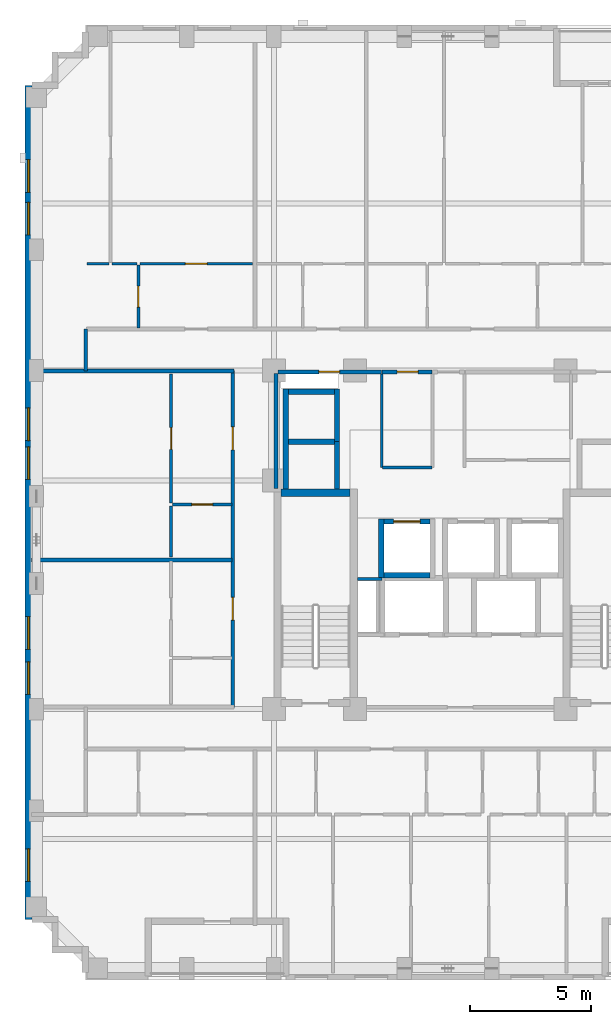
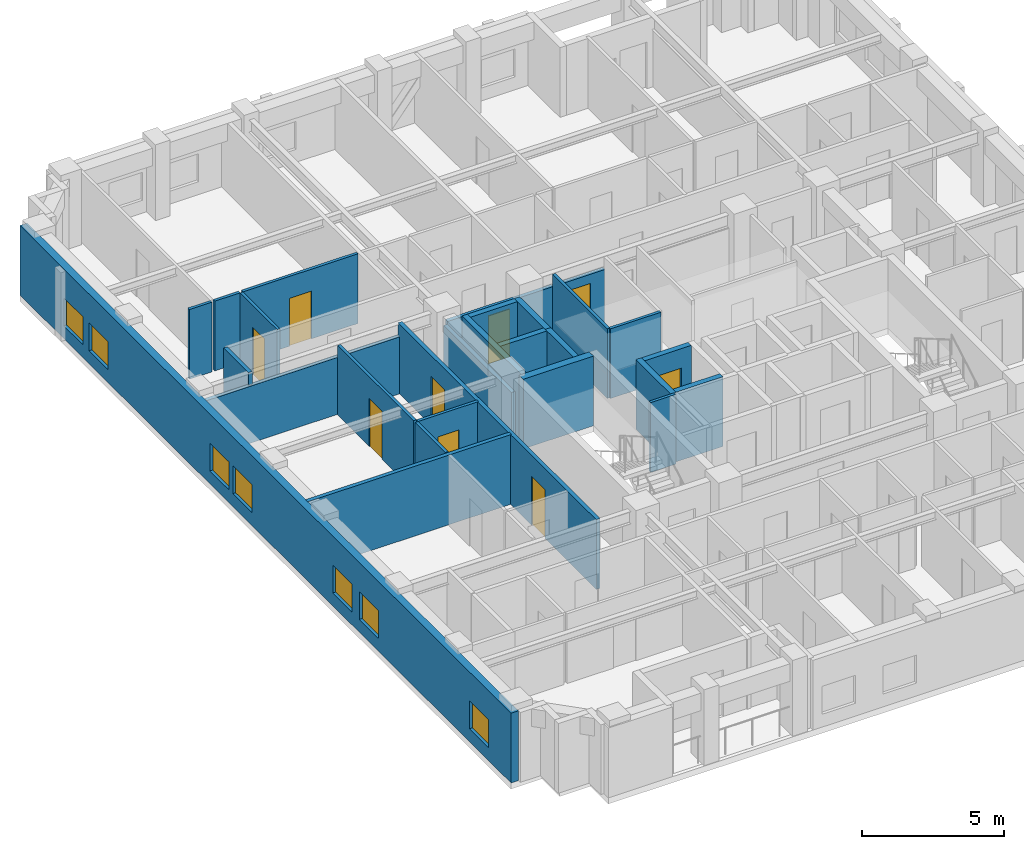
# One storey, part 5 of 11: 27 walls, 9 doors, 7 windows, 16 openings.
"""IFC4 building model written with IfcOpenShell, lengths in metres."""

from ifc_helpers import new_model, si_unit, derived_unit, direction, frame, frame_2d, origin, place, context, subcontext, project, spatial, rectangle, extrude, material, layer, layer_set, type_object, element, fill, save


model = new_model("IFC4")

# Units and contexts
model_context = context("Model", 3, precision=1e-05, world=origin(), true_north=direction((0.0, 1.0)))
body_context = subcontext(model_context, "Body", "Model", "MODEL_VIEW")
ifc_project = project(units=[si_unit("LENGTHUNIT", "METRE"), si_unit("AREAUNIT", "SQUARE_METRE"), si_unit("VOLUMEUNIT", "CUBIC_METRE"), si_unit("PLANEANGLEUNIT", "RADIAN"), si_unit("MASSUNIT", "GRAM", prefix="KILO"), derived_unit("THERMALTRANSMITTANCEUNIT", [(si_unit("MASSUNIT", "GRAM", prefix="KILO"), 1), (si_unit("TIMEUNIT", "SECOND"), -3), (si_unit("THERMODYNAMICTEMPERATUREUNIT", "KELVIN"), -1)])], contexts=[model_context])

# Site, building, storey
site_placement = place(None, origin())
site = spatial("IfcSite", under=ifc_project, at=site_placement, CompositionType="ELEMENT")
building_placement = place(site_placement, origin())
building = spatial("IfcBuilding", under=site, at=building_placement, Name="Korrvale Station Residences", CompositionType="ELEMENT")
storey_placement = place(building_placement, frame((0.0, 0.0, 147.14990234375)))
storey = spatial("IfcBuildingStorey", under=building, at=storey_placement, Name="L42", CompositionType="ELEMENT", Elevation=147.14990234375)

# Wall
ifc_material_1 = material(Name="Concrete C60/75", Category="concrete")
ifc_layer_1 = layer(ifc_material_1, 0.300048828125, Name="Concrete C60/75")
ifc_layer_set_1 = layer_set([ifc_layer_1], Name="Concrete C60/75")
wall_type_1 = type_object("IfcWallType", Name="WAL-CORE-300-C60", PredefinedType="SHEAR", material=ifc_layer_set_1)
wall_1_placement = place(storey_placement, frame((18.10009765625, 23.949951171875, 0.0), z_axis=(0.0, 0.0, 1.0), x_axis=(1.0, 0.0, 0.0)))
element("IfcWall", 1, at=wall_1_placement, inside=storey, type_object=wall_type_1, Name="L42 ST-1 Core Shear Wall North", PredefinedType="SHEAR", context=body_context, shape_type="SweptSolid", body=[
    extrude(rectangle(XDim=2.849853515625, YDim=0.300048828125, at=frame_2d((1.4248046875, 0.0))), origin(), (0.0, 0.0, 1.0), 2.989990234375),
])

# Wall, openings, windows
ifc_material_2 = material(Name="Precast concrete C45/55", Category="concrete")
ifc_layer_2 = layer(ifc_material_2, 0.300048828125, Name="Precast concrete C45/55")
ifc_layer_set_2 = layer_set([ifc_layer_2], Name="Precast concrete C45/55")
wall_type_2 = type_object("IfcWallType", Name="WAL-EXT-PC300", PredefinedType="SOLIDWALL", material=ifc_layer_set_2)
wall_2_placement = place(storey_placement, frame((7.64990234375, 6.300048828125, 0.0), z_axis=(0.0, 0.0, 1.0), x_axis=(0.0, 1.0, 0.0)))
wall_2 = element("IfcWall", 2, at=wall_2_placement, inside=storey, type_object=wall_type_2, Name="L42 West Exterior Precast Wall 1", PredefinedType="SOLIDWALL", context=body_context, shape_type="SweptSolid", body=[
    extrude(rectangle(XDim=34.5, YDim=0.300048828125, at=frame_2d((17.25, 0.0))), origin(), (0.0, 0.0, 1.0), 2.989990234375),
])
opening_1_placement = place(wall_2_placement, frame((1.574951171875, 0.0, 0.550048828125)))
opening_1 = element("IfcOpeningElement", 3, at=opening_1_placement, cuts=wall_2, Name="Opening W-10", PredefinedType="OPENING", context=body_context, shape_type="SweptSolid", body=[
    extrude(rectangle(XDim=1.35009765625, YDim=1.199951171875, at=frame_2d((0.675048828125, 0.60009765625))), frame((0.0, 0.16015625, 0.0), z_axis=(0.0, -1.0, 0.0), x_axis=(1.0, 0.0, 0.0)), (0.0, 0.0, 1.0), 0.320068359375),
])
opening_2_placement = place(wall_2_placement, frame((30.074951171875, 0.0, 0.550048828125)))
opening_2 = element("IfcOpeningElement", 4, at=opening_2_placement, cuts=wall_2, Name="Opening W-10", PredefinedType="OPENING", context=body_context, shape_type="SweptSolid", body=[
    extrude(rectangle(XDim=1.35009765625, YDim=1.199951171875, at=frame_2d((0.675048828125, 0.60009765625))), frame((0.0, 0.16015625, 0.0), z_axis=(0.0, -1.0, 0.0), x_axis=(1.0, 0.0, 0.0)), (0.0, 0.0, 1.0), 0.320068359375),
])
opening_3_placement = place(wall_2_placement, frame((28.31005859375, 0.0, 0.550048828125)))
opening_3 = element("IfcOpeningElement", 5, at=opening_3_placement, cuts=wall_2, Name="Opening W-10", PredefinedType="OPENING", context=body_context, shape_type="SweptSolid", body=[
    extrude(rectangle(XDim=1.35009765625, YDim=1.199951171875, at=frame_2d((0.675048828125, 0.60009765625))), frame((0.0, 0.16015625, 0.0), z_axis=(0.0, -1.0, 0.0), x_axis=(1.0, 0.0, 0.0)), (0.0, 0.0, 1.0), 0.320068359375),
])
opening_4_placement = place(wall_2_placement, frame((11.175048828125, 0.0, 0.550048828125)))
opening_4 = element("IfcOpeningElement", 6, at=opening_4_placement, cuts=wall_2, Name="Opening W-10", PredefinedType="OPENING", context=body_context, shape_type="SweptSolid", body=[
    extrude(rectangle(XDim=1.35009765625, YDim=1.199951171875, at=frame_2d((0.675048828125, 0.60009765625))), frame((0.0, 0.16015625, 0.0), z_axis=(0.0, -1.0, 0.0), x_axis=(1.0, 0.0, 0.0)), (0.0, 0.0, 1.0), 0.320068359375),
])
opening_5_placement = place(wall_2_placement, frame((9.31005859375, 0.0, 0.550048828125)))
opening_5 = element("IfcOpeningElement", 7, at=opening_5_placement, cuts=wall_2, Name="Opening W-10", PredefinedType="OPENING", context=body_context, shape_type="SweptSolid", body=[
    extrude(rectangle(XDim=1.35009765625, YDim=1.199951171875, at=frame_2d((0.675048828125, 0.60009765625))), frame((0.0, 0.16015625, 0.0), z_axis=(0.0, -1.0, 0.0), x_axis=(1.0, 0.0, 0.0)), (0.0, 0.0, 1.0), 0.320068359375),
])
opening_6_placement = place(wall_2_placement, frame((18.199951171875, 0.0, 0.550048828125)))
opening_6 = element("IfcOpeningElement", 8, at=opening_6_placement, cuts=wall_2, Name="Opening W-10", PredefinedType="OPENING", context=body_context, shape_type="SweptSolid", body=[
    extrude(rectangle(XDim=1.35009765625, YDim=1.199951171875, at=frame_2d((0.675048828125, 0.60009765625))), frame((0.0, 0.16015625, 0.0), z_axis=(0.0, -1.0, 0.0), x_axis=(1.0, 0.0, 0.0)), (0.0, 0.0, 1.0), 0.320068359375),
])
opening_7_placement = place(wall_2_placement, frame((19.81005859375, 0.0, 0.550048828125)))
opening_7 = element("IfcOpeningElement", 9, at=opening_7_placement, cuts=wall_2, Name="Opening W-10", PredefinedType="OPENING", context=body_context, shape_type="SweptSolid", body=[
    extrude(rectangle(XDim=1.35009765625, YDim=1.199951171875, at=frame_2d((0.675048828125, 0.60009765625))), frame((0.0, 0.16015625, 0.0), z_axis=(0.0, -1.0, 0.0), x_axis=(1.0, 0.0, 0.0)), (0.0, 0.0, 1.0), 0.320068359375),
])
ifc_material_3 = material(Name="Thermally broken aluminium frame with triple low-e glazing", Category="aluminium")
window_type = type_object("IfcWindowType", Name="WIN-W10", PartitioningType="SINGLE_PANEL", PredefinedType="WINDOW", material=ifc_material_3)
window_1_placement = place(opening_1_placement, origin())
window_1 = element("IfcWindow", 10, at=window_1_placement, inside=storey, type_object=window_type, Name="L42 Punched Window 01", OverallHeight=1.199951171875, OverallWidth=1.35009765625, PartitioningType="SINGLE_PANEL", PredefinedType="WINDOW", context=body_context, shape_type="SweptSolid", body=[
    extrude(rectangle(XDim=1.35009765625, YDim=1.199951171875, at=frame_2d((0.675048828125, 0.60009765625))), frame((0.0, 0.030029296875, 0.0), z_axis=(0.0, -1.0, 0.0), x_axis=(1.0, 0.0, 0.0)), (0.0, 0.0, 1.0), 0.06005859375),
])
fill(opening_1, window_1)
window_2_placement = place(opening_2_placement, origin())
window_2 = element("IfcWindow", 11, at=window_2_placement, inside=storey, type_object=window_type, Name="L42 Punched Window 07", OverallHeight=1.199951171875, OverallWidth=1.35009765625, PartitioningType="SINGLE_PANEL", PredefinedType="WINDOW", context=body_context, shape_type="SweptSolid", body=[
    extrude(rectangle(XDim=1.35009765625, YDim=1.199951171875, at=frame_2d((0.675048828125, 0.60009765625))), frame((0.0, 0.030029296875, 0.0), z_axis=(0.0, -1.0, 0.0), x_axis=(1.0, 0.0, 0.0)), (0.0, 0.0, 1.0), 0.06005859375),
])
fill(opening_2, window_2)
window_3_placement = place(opening_3_placement, origin())
window_3 = element("IfcWindow", 12, at=window_3_placement, inside=storey, type_object=window_type, Name="L42 Punched Window 08", OverallHeight=1.199951171875, OverallWidth=1.35009765625, PartitioningType="SINGLE_PANEL", PredefinedType="WINDOW", context=body_context, shape_type="SweptSolid", body=[
    extrude(rectangle(XDim=1.35009765625, YDim=1.199951171875, at=frame_2d((0.675048828125, 0.60009765625))), frame((0.0, 0.030029296875, 0.0), z_axis=(0.0, -1.0, 0.0), x_axis=(1.0, 0.0, 0.0)), (0.0, 0.0, 1.0), 0.06005859375),
])
fill(opening_3, window_3)
window_4_placement = place(opening_4_placement, origin())
window_4 = element("IfcWindow", 13, at=window_4_placement, inside=storey, type_object=window_type, Name="L42 Punched Window 16", OverallHeight=1.199951171875, OverallWidth=1.35009765625, PartitioningType="SINGLE_PANEL", PredefinedType="WINDOW", context=body_context, shape_type="SweptSolid", body=[
    extrude(rectangle(XDim=1.35009765625, YDim=1.199951171875, at=frame_2d((0.675048828125, 0.60009765625))), frame((0.0, 0.030029296875, 0.0), z_axis=(0.0, -1.0, 0.0), x_axis=(1.0, 0.0, 0.0)), (0.0, 0.0, 1.0), 0.06005859375),
])
fill(opening_4, window_4)
window_5_placement = place(opening_5_placement, origin())
window_5 = element("IfcWindow", 14, at=window_5_placement, inside=storey, type_object=window_type, Name="L42 Punched Window 17", OverallHeight=1.199951171875, OverallWidth=1.35009765625, PartitioningType="SINGLE_PANEL", PredefinedType="WINDOW", context=body_context, shape_type="SweptSolid", body=[
    extrude(rectangle(XDim=1.35009765625, YDim=1.199951171875, at=frame_2d((0.675048828125, 0.60009765625))), frame((0.0, 0.030029296875, 0.0), z_axis=(0.0, -1.0, 0.0), x_axis=(1.0, 0.0, 0.0)), (0.0, 0.0, 1.0), 0.06005859375),
])
fill(opening_5, window_5)
window_6_placement = place(opening_6_placement, origin())
window_6 = element("IfcWindow", 15, at=window_6_placement, inside=storey, type_object=window_type, Name="L42 Punched Window 18", OverallHeight=1.199951171875, OverallWidth=1.35009765625, PartitioningType="SINGLE_PANEL", PredefinedType="WINDOW", context=body_context, shape_type="SweptSolid", body=[
    extrude(rectangle(XDim=1.35009765625, YDim=1.199951171875, at=frame_2d((0.675048828125, 0.60009765625))), frame((0.0, 0.030029296875, 0.0), z_axis=(0.0, -1.0, 0.0), x_axis=(1.0, 0.0, 0.0)), (0.0, 0.0, 1.0), 0.06005859375),
])
fill(opening_6, window_6)
window_7_placement = place(opening_7_placement, origin())
window_7 = element("IfcWindow", 16, at=window_7_placement, inside=storey, type_object=window_type, Name="L42 Punched Window 19", OverallHeight=1.199951171875, OverallWidth=1.35009765625, PartitioningType="SINGLE_PANEL", PredefinedType="WINDOW", context=body_context, shape_type="SweptSolid", body=[
    extrude(rectangle(XDim=1.35009765625, YDim=1.199951171875, at=frame_2d((0.675048828125, 0.60009765625))), frame((0.0, 0.030029296875, 0.0), z_axis=(0.0, -1.0, 0.0), x_axis=(1.0, 0.0, 0.0)), (0.0, 0.0, 1.0), 0.06005859375),
])
fill(opening_7, window_7)

# Walls
ifc_material_4 = material(Name="Acoustic steel-stud gypsum board partition", Category="steel")
ifc_layer_3 = layer(ifc_material_4, 0.1201171875, Name="Acoustic steel-stud gypsum board partition")
ifc_layer_set_3 = layer_set([ifc_layer_3], Name="Acoustic steel-stud gypsum board partition")
wall_type_3 = type_object("IfcWallType", Name="WAL-PART-125", PredefinedType="PARTITIONING", material=ifc_layer_set_3)
wall_3_placement = place(storey_placement, frame((22.280029296875, 20.3798828125, 0.0), z_axis=(0.0, 0.0, 1.0), x_axis=(-1.0, 0.0, 0.0)))
element("IfcWall", 17, at=wall_3_placement, inside=storey, type_object=wall_type_3, Name="L42 Core Partition CW-RSWT-N", PredefinedType="PARTITIONING", context=body_context, shape_type="SweptSolid", body=[
    extrude(rectangle(XDim=1.02001953125, YDim=0.1201171875, at=frame_2d((0.510009765625, 0.0))), origin(), (0.0, 0.0, 1.0), 2.989990234375),
])
wall_4_placement = place(storey_placement, frame((22.260009765625, 25.0, 0.0), z_axis=(0.0, 0.0, 1.0), x_axis=(0.0, 1.0, 0.0)))
element("IfcWall", 18, at=wall_4_placement, inside=storey, type_object=wall_type_3, Name="L42 Core Partition CW-FPLW-W", PredefinedType="PARTITIONING", context=body_context, shape_type="SweptSolid", body=[
    extrude(rectangle(XDim=3.860107421875, YDim=0.1201171875, at=frame_2d((1.93017578125, 0.0))), origin(), (0.0, 0.0, 1.0), 2.989990234375),
])
wall_5_placement = place(storey_placement, frame((22.300048828125, 25.0, 0.0), z_axis=(0.0, 0.0, 1.0), x_axis=(1.0, 0.0, 0.0)))
element("IfcWall", 19, at=wall_5_placement, inside=storey, type_object=wall_type_3, Name="L42 Core Partition CW-FPLW-S", PredefinedType="PARTITIONING", context=body_context, shape_type="SweptSolid", body=[
    extrude(rectangle(XDim=2.0400390625, YDim=0.1201171875, at=frame_2d((1.02001953125, 0.0))), origin(), (0.0, 0.0, 1.0), 2.989990234375),
])

# Wall, opening, door
wall_6_placement = place(storey_placement, frame((12.193115234375, 30.760009765625, 0.0), z_axis=(0.0, 0.0, 1.0), x_axis=(0.0, 1.0, 0.0)))
wall_6 = element("IfcWall", 20, at=wall_6_placement, inside=storey, type_object=wall_type_3, Name="L42 Suite Partition U03-V01", PredefinedType="PARTITIONING", context=body_context, shape_type="SweptSolid", body=[
    extrude(rectangle(XDim=2.60009765625, YDim=0.1201171875, at=frame_2d((1.300048828125, 0.0))), origin(), (0.0, 0.0, 1.0), 2.989990234375),
])
opening_8_placement = place(wall_6_placement, frame((0.8701171875, 0.0, 0.0)))
opening_8 = element("IfcOpeningElement", 21, at=opening_8_placement, cuts=wall_6, Name="Opening DB-860", PredefinedType="OPENING", context=body_context, shape_type="SweptSolid", body=[
    extrude(rectangle(XDim=0.860107421875, YDim=2.050048828125, at=frame_2d((0.43017578125, 1.02490234375))), frame((0.0, 0.070068359375, 0.0), z_axis=(0.0, -1.0, 0.0), x_axis=(1.0, 0.0, 0.0)), (0.0, 0.0, 1.0), 0.14013671875),
])
ifc_material_5 = material(Name="Moisture-resistant solid-core bathroom door", Category="timber")
door_type_1 = type_object("IfcDoorType", Name="DR-BATH-860", OperationType="NOTDEFINED", PredefinedType="DOOR", material=ifc_material_5)
door_1_placement = place(opening_8_placement, origin())
door_1 = element("IfcDoor", 22, at=door_1_placement, inside=storey, type_object=door_type_1, Name="L42 Studio Apartment L42-U03 Bathroom Door", OperationType="SINGLE_SWING_RIGHT", OverallHeight=2.050048828125, OverallWidth=0.860107421875, PredefinedType="DOOR", context=body_context, shape_type="SweptSolid", body=[
    extrude(rectangle(XDim=0.860107421875, YDim=2.050048828125, at=frame_2d((0.43017578125, 1.02490234375))), frame((0.0, 0.02490234375, 0.0), z_axis=(0.0, -1.0, 0.0), x_axis=(1.0, 0.0, 0.0)), (0.0, 0.0, 1.0), 0.050048828125),
])
fill(opening_8, door_1)

# Walls
wall_7_placement = place(storey_placement, frame((10.080078125, 33.419921875, 0.0), z_axis=(0.0, 0.0, 1.0), x_axis=(1.0, 0.0, 0.0)))
element("IfcWall", 23, at=wall_7_placement, inside=storey, type_object=wall_type_3, Name="L42 Suite Partition U03-H02", PredefinedType="PARTITIONING", context=body_context, shape_type="SweptSolid", body=[
    extrude(rectangle(XDim=0.909912109375, YDim=0.1201171875, at=frame_2d((0.455078125, 0.0))), origin(), (0.0, 0.0, 1.0), 2.989990234375),
])
wall_8_placement = place(storey_placement, frame((11.110107421875, 33.419921875, 0.0), z_axis=(0.0, 0.0, 1.0), x_axis=(1.0, 0.0, 0.0)))
element("IfcWall", 24, at=wall_8_placement, inside=storey, type_object=wall_type_3, Name="L42 Suite Partition U03-H03", PredefinedType="PARTITIONING", context=body_context, shape_type="SweptSolid", body=[
    extrude(rectangle(XDim=1.02294921875, YDim=0.1201171875, at=frame_2d((0.511474609375, 0.0))), origin(), (0.0, 0.0, 1.0), 2.989990234375),
])

# Wall, opening, door
wall_9_placement = place(storey_placement, frame((12.2529296875, 33.419921875, 0.0), z_axis=(0.0, 0.0, 1.0), x_axis=(1.0, 0.0, 0.0)))
wall_9 = element("IfcWall", 25, at=wall_9_placement, inside=storey, type_object=wall_type_3, Name="L42 Suite Partition U03-H13", PredefinedType="PARTITIONING", context=body_context, shape_type="SweptSolid", body=[
    extrude(rectangle(XDim=4.671142578125, YDim=0.1201171875, at=frame_2d((2.33544921875, 0.0))), origin(), (0.0, 0.0, 1.0), 2.989990234375),
])
opening_9_placement = place(wall_9_placement, frame((1.885009765625, 0.0, 0.0)))
opening_9 = element("IfcOpeningElement", 26, at=opening_9_placement, cuts=wall_9, Name="Opening DI-900", PredefinedType="OPENING", context=body_context, shape_type="SweptSolid", body=[
    extrude(rectangle(XDim=0.89990234375, YDim=2.050048828125, at=frame_2d((0.449951171875, 1.02490234375))), frame((0.0, 0.070068359375, 0.0), z_axis=(0.0, -1.0, 0.0), x_axis=(1.0, 0.0, 0.0)), (0.0, 0.0, 1.0), 0.14013671875),
])
ifc_material_6 = material(Name="Painted solid-core timber interior room door", Category="wood")
door_type_2 = type_object("IfcDoorType", Name="DR-INT-900", OperationType="NOTDEFINED", PredefinedType="DOOR", material=ifc_material_6)
door_2_placement = place(opening_9_placement, origin())
door_2 = element("IfcDoor", 27, at=door_2_placement, inside=storey, type_object=door_type_2, Name="L42 Studio Apartment L42-U03 Kitchen Door", OperationType="SINGLE_SWING_LEFT", OverallHeight=2.050048828125, OverallWidth=0.89990234375, PredefinedType="DOOR", context=body_context, shape_type="SweptSolid", body=[
    extrude(rectangle(XDim=0.89990234375, YDim=2.050048828125, at=frame_2d((0.449951171875, 1.02490234375))), frame((0.0, 0.02490234375, 0.0), z_axis=(0.0, -1.0, 0.0), x_axis=(1.0, 0.0, 0.0)), (0.0, 0.0, 1.0), 0.050048828125),
])
fill(opening_9, door_2)

wall_10_placement = place(storey_placement, frame((13.610107421875, 23.467041015625, 0.0), z_axis=(0.0, 0.0, 1.0), x_axis=(1.0, 0.0, 0.0)))
wall_10 = element("IfcWall", 28, at=wall_10_placement, inside=storey, type_object=wall_type_3, Name="L42 Suite Partition U08-H01", PredefinedType="PARTITIONING", context=body_context, shape_type="SweptSolid", body=[
    extrude(rectangle(XDim=2.449951171875, YDim=0.1201171875, at=frame_2d((1.22509765625, 0.0))), origin(), (0.0, 0.0, 1.0), 2.989990234375),
])
opening_10_placement = place(wall_10_placement, frame((0.794921875, 0.0, 0.0)))
opening_10 = element("IfcOpeningElement", 29, at=opening_10_placement, cuts=wall_10, Name="Opening DB-860", PredefinedType="OPENING", context=body_context, shape_type="SweptSolid", body=[
    extrude(rectangle(XDim=0.860107421875, YDim=2.050048828125, at=frame_2d((0.43017578125, 1.02490234375))), frame((0.0, 0.070068359375, 0.0), z_axis=(0.0, -1.0, 0.0), x_axis=(1.0, 0.0, 0.0)), (0.0, 0.0, 1.0), 0.14013671875),
])
door_3_placement = place(opening_10_placement, origin())
door_3 = element("IfcDoor", 30, at=door_3_placement, inside=storey, type_object=door_type_1, Name="L42 Apartment 1BR L42-U08 Bathroom Door", OperationType="SINGLE_SWING_RIGHT", OverallHeight=2.050048828125, OverallWidth=0.860107421875, PredefinedType="DOOR", context=body_context, shape_type="SweptSolid", body=[
    extrude(rectangle(XDim=0.860107421875, YDim=2.050048828125, at=frame_2d((0.43017578125, 1.02490234375))), frame((0.0, 0.02490234375, 0.0), z_axis=(0.0, -1.0, 0.0), x_axis=(1.0, 0.0, 0.0)), (0.0, 0.0, 1.0), 0.050048828125),
])
fill(opening_10, door_3)

# Wall
wall_11_placement = place(storey_placement, frame((13.550048828125, 21.285888671875, 0.0), z_axis=(0.0, 0.0, 1.0), x_axis=(0.0, 1.0, 0.0)))
element("IfcWall", 31, at=wall_11_placement, inside=storey, type_object=wall_type_3, Name="L42 Suite Partition U08-V02", PredefinedType="PARTITIONING", context=body_context, shape_type="SweptSolid", body=[
    extrude(rectangle(XDim=2.12109375, YDim=0.1201171875, at=frame_2d((1.060546875, 0.0))), origin(), (0.0, 0.0, 1.0), 2.989990234375),
])

# Wall, opening, door
wall_12_placement = place(storey_placement, frame((13.550048828125, 23.527099609375, 0.0), z_axis=(0.0, 0.0, 1.0), x_axis=(0.0, 1.0, 0.0)))
wall_12 = element("IfcWall", 32, at=wall_12_placement, inside=storey, type_object=wall_type_3, Name="L42 Suite Partition U08-V12", PredefinedType="PARTITIONING", context=body_context, shape_type="SweptSolid", body=[
    extrude(rectangle(XDim=5.3330078125, YDim=0.1201171875, at=frame_2d((2.66650390625, 0.0))), origin(), (0.0, 0.0, 1.0), 2.989990234375),
])
opening_11_placement = place(wall_12_placement, frame((2.216064453125, 0.0, 0.0)))
opening_11 = element("IfcOpeningElement", 33, at=opening_11_placement, cuts=wall_12, Name="Opening DI-900", PredefinedType="OPENING", context=body_context, shape_type="SweptSolid", body=[
    extrude(rectangle(XDim=0.89990234375, YDim=2.050048828125, at=frame_2d((0.449951171875, 1.02490234375))), frame((0.0, 0.070068359375, 0.0), z_axis=(0.0, -1.0, 0.0), x_axis=(1.0, 0.0, 0.0)), (0.0, 0.0, 1.0), 0.14013671875),
])
door_4_placement = place(opening_11_placement, origin())
door_4 = element("IfcDoor", 34, at=door_4_placement, inside=storey, type_object=door_type_2, Name="L42 Apartment 1BR L42-U08 Kitchen Door", OperationType="SINGLE_SWING_LEFT", OverallHeight=2.050048828125, OverallWidth=0.89990234375, PredefinedType="DOOR", context=body_context, shape_type="SweptSolid", body=[
    extrude(rectangle(XDim=0.89990234375, YDim=2.050048828125, at=frame_2d((0.449951171875, 1.02490234375))), frame((0.0, 0.02490234375, 0.0), z_axis=(0.0, -1.0, 0.0), x_axis=(1.0, 0.0, 0.0)), (0.0, 0.0, 1.0), 0.050048828125),
])
fill(opening_11, door_4)

# Wall
ifc_material_7 = material(Name="Fire-rated twin-stud gypsum and mineral wool shaftwall assembly", Category="gypsum")
ifc_layer_4 = layer(ifc_material_7, 0.159912109375, Name="Fire-rated twin-stud gypsum and mineral wool shaftwall assembly")
ifc_layer_set_4 = layer_set([ifc_layer_4], Name="Fire-rated twin-stud gypsum and mineral wool shaftwall assembly")
wall_type_4 = type_object("IfcWallType", Name="WAL-PART-200", PredefinedType="PARTITIONING", material=ifc_layer_set_4)
wall_13_placement = place(storey_placement, frame((17.8798828125, 24.1201171875, 0.0), z_axis=(0.0, 0.0, 1.0), x_axis=(0.0, 1.0, 0.0)))
element("IfcWall", 35, at=wall_13_placement, inside=storey, type_object=wall_type_4, Name="L42 Core Partition CW-W-N", PredefinedType="PARTITIONING", context=body_context, shape_type="SweptSolid", body=[
    extrude(rectangle(XDim=4.759765625, YDim=0.159912109375, at=frame_2d((2.3798828125, 0.0))), origin(), (0.0, 0.0, 1.0), 2.3251953125),
])

# Wall, opening, door
wall_14_placement = place(storey_placement, frame((17.9599609375, 28.949951171875, 0.0), z_axis=(0.0, 0.0, 1.0), x_axis=(1.0, 0.0, 0.0)))
wall_14 = element("IfcWall", 36, at=wall_14_placement, inside=storey, type_object=wall_type_4, Name="L42 Core Partition CW-NW", PredefinedType="PARTITIONING", context=body_context, shape_type="SweptSolid", body=[
    extrude(rectangle(XDim=4.2900390625, YDim=0.159912109375, at=frame_2d((2.14501953125, 0.0))), origin(), (0.0, 0.0, 1.0), 2.442138671875),
])
opening_12_placement = place(wall_14_placement, frame((1.695068359375, 0.0, 0.0)))
opening_12 = element("IfcOpeningElement", 37, at=opening_12_placement, cuts=wall_14, Name="Opening DB-860", PredefinedType="OPENING", context=body_context, shape_type="SweptSolid", body=[
    extrude(rectangle(XDim=0.860107421875, YDim=2.050048828125, at=frame_2d((0.43017578125, 1.02490234375))), frame((0.0, 0.08984375, 0.0), z_axis=(0.0, -1.0, 0.0), x_axis=(1.0, 0.0, 0.0)), (0.0, 0.0, 1.0), 0.179931640625),
])
door_5_placement = place(opening_12_placement, origin())
door_5 = element("IfcDoor", 38, at=door_5_placement, inside=storey, type_object=door_type_1, Name="L42 Electrical Riser Access Door", OperationType="SINGLE_SWING_RIGHT", OverallHeight=2.050048828125, OverallWidth=0.860107421875, PredefinedType="DOOR", context=body_context, shape_type="SweptSolid", body=[
    extrude(rectangle(XDim=0.860107421875, YDim=2.050048828125, at=frame_2d((0.43017578125, 1.02490234375))), frame((0.0, 0.02490234375, 0.0), z_axis=(0.0, -1.0, 0.0), x_axis=(1.0, 0.0, 0.0)), (0.0, 0.0, 1.0), 0.050048828125),
])
fill(opening_12, door_5)

wall_15_placement = place(storey_placement, frame((22.280029296875, 28.949951171875, 0.0), z_axis=(0.0, 0.0, 1.0), x_axis=(1.0, 0.0, 0.0)))
wall_15 = element("IfcWall", 39, at=wall_15_placement, inside=storey, type_object=wall_type_4, Name="L42 Core Partition CW-FPLW-N", PredefinedType="PARTITIONING", context=body_context, shape_type="SweptSolid", body=[
    extrude(rectangle(XDim=2.06005859375, YDim=0.159912109375, at=frame_2d((1.030029296875, 0.0))), origin(), (0.0, 0.0, 1.0), 2.442138671875),
])
opening_13_placement = place(wall_15_placement, frame((0.6201171875, 0.0, 0.0)))
opening_13 = element("IfcOpeningElement", 40, at=opening_13_placement, cuts=wall_15, Name="Opening DB-860", PredefinedType="OPENING", context=body_context, shape_type="SweptSolid", body=[
    extrude(rectangle(XDim=0.860107421875, YDim=2.050048828125, at=frame_2d((0.43017578125, 1.02490234375))), frame((0.0, 0.08984375, 0.0), z_axis=(0.0, -1.0, 0.0), x_axis=(1.0, 0.0, 0.0)), (0.0, 0.0, 1.0), 0.179931640625),
])
door_6_placement = place(opening_13_placement, origin())
door_6 = element("IfcDoor", 41, at=door_6_placement, inside=storey, type_object=door_type_1, Name="L42 Resident Parcel Room Door", OperationType="SINGLE_SWING_RIGHT", OverallHeight=2.050048828125, OverallWidth=0.860107421875, PredefinedType="DOOR", context=body_context, shape_type="SweptSolid", body=[
    extrude(rectangle(XDim=0.860107421875, YDim=2.050048828125, at=frame_2d((0.43017578125, 1.02490234375))), frame((0.0, 0.02490234375, 0.0), z_axis=(0.0, -1.0, 0.0), x_axis=(1.0, 0.0, 0.0)), (0.0, 0.0, 1.0), 0.050048828125),
])
fill(opening_13, door_6)

# Walls
wall_16_placement = place(storey_placement, frame((10.02001953125, 28.97998046875, 0.0), z_axis=(0.0, 0.0, 1.0), x_axis=(0.0, 1.0, 0.0)))
element("IfcWall", 42, at=wall_16_placement, inside=storey, type_object=wall_type_4, Name="L42 Corridor North West Cap", PredefinedType="PARTITIONING", context=body_context, shape_type="SweptSolid", body=[
    extrude(rectangle(XDim=1.739990234375, YDim=0.159912109375, at=frame_2d((0.8701171875, 0.0))), origin(), (0.0, 0.0, 1.0), 2.989990234375),
])
wall_17_placement = place(storey_placement, frame((7.780029296875, 28.97998046875, 0.0), z_axis=(0.0, 0.0, 1.0), x_axis=(1.0, 0.0, 0.0)))
element("IfcWall", 43, at=wall_17_placement, inside=storey, type_object=wall_type_4, Name="L42 West Wing North Corridor Wall", PredefinedType="PARTITIONING", context=body_context, shape_type="SweptSolid", body=[
    extrude(rectangle(XDim=8.35986328125, YDim=0.159912109375, at=frame_2d((4.179931640625, 0.0))), origin(), (0.0, 0.0, 1.0), 2.442138671875),
])
wall_18_placement = place(storey_placement, frame((7.780029296875, 21.166015625, 0.0), z_axis=(0.0, 0.0, 1.0), x_axis=(1.0, 0.0, 0.0)))
element("IfcWall", 44, at=wall_18_placement, inside=storey, type_object=wall_type_4, Name="L42 Demising Wall U07-N", PredefinedType="PARTITIONING", context=body_context, shape_type="SweptSolid", body=[
    extrude(rectangle(XDim=8.280029296875, YDim=0.159912109375, at=frame_2d((4.14013671875, 0.0))), origin(), (0.0, 0.0, 1.0), 2.989990234375),
])

# Wall, openings, doors
wall_19_placement = place(storey_placement, frame((16.10009765625, 15.070068359375, 0.0), z_axis=(0.0, 0.0, 1.0), x_axis=(0.0, 1.0, 0.0)))
wall_19 = element("IfcWall", 45, at=wall_19_placement, inside=storey, type_object=wall_type_4, Name="L42 Rated Corridor Wall W", PredefinedType="PARTITIONING", context=body_context, shape_type="SweptSolid", body=[
    extrude(rectangle(XDim=13.929931640625, YDim=0.159912109375, at=frame_2d((6.96484375, 0.0))), origin(), (0.0, 0.0, 1.0), 2.989990234375),
])
opening_14_placement = place(wall_19_placement, frame((3.60791015625, 0.0, 0.0)))
opening_14 = element("IfcOpeningElement", 46, at=opening_14_placement, cuts=wall_19, Name="Opening UD-950", PredefinedType="OPENING", context=body_context, shape_type="SweptSolid", body=[
    extrude(rectangle(XDim=0.949951171875, YDim=2.10009765625, at=frame_2d((0.47509765625, 1.050048828125))), frame((0.0, 0.08984375, 0.0), z_axis=(0.0, -1.0, 0.0), x_axis=(1.0, 0.0, 0.0)), (0.0, 0.0, 1.0), 0.179931640625),
])
opening_15_placement = place(wall_19_placement, frame((10.64892578125, 0.0, 0.0)))
opening_15 = element("IfcOpeningElement", 47, at=opening_15_placement, cuts=wall_19, Name="Opening UD-950", PredefinedType="OPENING", context=body_context, shape_type="SweptSolid", body=[
    extrude(rectangle(XDim=0.949951171875, YDim=2.10009765625, at=frame_2d((0.47509765625, 1.050048828125))), frame((0.0, 0.08984375, 0.0), z_axis=(0.0, -1.0, 0.0), x_axis=(1.0, 0.0, 0.0)), (0.0, 0.0, 1.0), 0.179931640625),
])
ifc_material_8 = material(Name="Solid-core acoustic oak apartment entrance door", Category="timber")
door_type_3 = type_object("IfcDoorType", Name="DR-UNIT-950", OperationType="NOTDEFINED", PredefinedType="DOOR", material=ifc_material_8)
door_7_placement = place(opening_14_placement, origin())
door_7 = element("IfcDoor", 48, at=door_7_placement, inside=storey, type_object=door_type_3, Name="L42 Apartment L42-U07 Entrance Door", OperationType="SINGLE_SWING_LEFT", OverallHeight=2.10009765625, OverallWidth=0.949951171875, PredefinedType="DOOR", context=body_context, shape_type="SweptSolid", body=[
    extrude(rectangle(XDim=0.949951171875, YDim=2.10009765625, at=frame_2d((0.47509765625, 1.050048828125))), frame((0.0, 0.02490234375, 0.0), z_axis=(0.0, -1.0, 0.0), x_axis=(1.0, 0.0, 0.0)), (0.0, 0.0, 1.0), 0.050048828125),
])
fill(opening_14, door_7)
door_8_placement = place(opening_15_placement, origin())
door_8 = element("IfcDoor", 49, at=door_8_placement, inside=storey, type_object=door_type_3, Name="L42 Apartment L42-U08 Entrance Door", OperationType="SINGLE_SWING_RIGHT", OverallHeight=2.10009765625, OverallWidth=0.949951171875, PredefinedType="DOOR", context=body_context, shape_type="SweptSolid", body=[
    extrude(rectangle(XDim=0.949951171875, YDim=2.10009765625, at=frame_2d((0.47509765625, 1.050048828125))), frame((0.0, 0.02490234375, 0.0), z_axis=(0.0, -1.0, 0.0), x_axis=(1.0, 0.0, 0.0)), (0.0, 0.0, 1.0), 0.050048828125),
])
fill(opening_15, door_8)

# Wall
ifc_layer_5 = layer(ifc_material_1, 0.219970703125, Name="Concrete C60/75")
ifc_layer_set_5 = layer_set([ifc_layer_5], Name="Concrete C60/75")
wall_type_5 = type_object("IfcWallType", Name="WAL-SHAFT-220-C60", PredefinedType="SHEAR", material=ifc_layer_set_5)
wall_20_placement = place(storey_placement, frame((22.35009765625, 20.5400390625, 0.0), z_axis=(0.0, 0.0, 1.0), x_axis=(1.0, 0.0, 0.0)))
element("IfcWall", 50, at=wall_20_placement, inside=storey, type_object=wall_type_5, Name="L42 Elevator PM-1 Hoistway Wall South", PredefinedType="SHEAR", context=body_context, shape_type="SweptSolid", body=[
    extrude(rectangle(XDim=1.89990234375, YDim=0.219970703125, at=frame_2d((0.949951171875, 0.0))), origin(), (0.0, 0.0, 1.0), 2.989990234375),
])

# Wall, opening, door
wall_21_placement = place(storey_placement, frame((22.35009765625, 22.760009765625, 0.0), z_axis=(0.0, 0.0, 1.0), x_axis=(1.0, 0.0, 0.0)))
wall_21 = element("IfcWall", 51, at=wall_21_placement, inside=storey, type_object=wall_type_5, Name="L42 Elevator PM-1 Hoistway Wall North", PredefinedType="SHEAR", context=body_context, shape_type="SweptSolid", body=[
    extrude(rectangle(XDim=1.89990234375, YDim=0.219970703125, at=frame_2d((0.949951171875, 0.0))), origin(), (0.0, 0.0, 1.0), 2.989990234375),
])
opening_16_placement = place(wall_21_placement, frame((0.39990234375, 0.0, 0.0)))
opening_16 = element("IfcOpeningElement", 52, at=opening_16_placement, cuts=wall_21, Name="Opening LD-1100", PredefinedType="OPENING", context=body_context, shape_type="SweptSolid", body=[
    extrude(rectangle(XDim=1.10009765625, YDim=2.14990234375, at=frame_2d((0.550048828125, 1.074951171875))), frame((0.0, 0.1201171875, 0.0), z_axis=(0.0, -1.0, 0.0), x_axis=(1.0, 0.0, 0.0)), (0.0, 0.0, 1.0), 0.239990234375),
])
ifc_material_9 = material(Name="Brushed stainless-steel elevator landing sliding door", Category="steel")
door_type_4 = type_object("IfcDoorType", Name="DR-LIFT-1100", OperationType="SLIDING_TO_LEFT", PredefinedType="DOOR", material=ifc_material_9)
door_9_placement = place(opening_16_placement, origin())
door_9 = element("IfcDoor", 53, at=door_9_placement, inside=storey, type_object=door_type_4, Name="L42 Elevator PM-1 Sliding Landing Door", OperationType="SLIDING_TO_LEFT", OverallHeight=2.14990234375, OverallWidth=1.10009765625, PredefinedType="DOOR", context=body_context, shape_type="SweptSolid", body=[
    extrude(rectangle(XDim=1.10009765625, YDim=2.14990234375, at=frame_2d((0.550048828125, 1.074951171875))), frame((0.0, 0.02490234375, 0.0), z_axis=(0.0, -1.0, 0.0), x_axis=(1.0, 0.0, 0.0)), (0.0, 0.0, 1.0), 0.050048828125),
])
fill(opening_16, door_9)

# Walls
wall_22_placement = place(storey_placement, frame((22.239990234375, 20.429931640625, 0.0), z_axis=(0.0, 0.0, 1.0), x_axis=(0.0, 1.0, 0.0)))
element("IfcWall", 54, at=wall_22_placement, inside=storey, type_object=wall_type_5, Name="L42 Elevator PM-1 Hoistway Wall West", PredefinedType="SHEAR", context=body_context, shape_type="SweptSolid", body=[
    extrude(rectangle(XDim=2.440185546875, YDim=0.219970703125, at=frame_2d((1.22021484375, 0.0))), origin(), (0.0, 0.0, 1.0), 2.989990234375),
])
wall_23_placement = place(storey_placement, frame((18.2900390625, 24.10009765625, 0.0), z_axis=(0.0, 0.0, 1.0), x_axis=(0.0, 1.0, 0.0)))
element("IfcWall", 55, at=wall_23_placement, inside=storey, type_object=wall_type_5, Name="L42 Elevator PH-1 Hoistway Wall West", PredefinedType="SHEAR", context=body_context, shape_type="SweptSolid", body=[
    extrude(rectangle(XDim=4.139892578125, YDim=0.219970703125, at=frame_2d((2.06982421875, 0.0))), origin(), (0.0, 0.0, 1.0), 2.989990234375),
])
wall_24_placement = place(storey_placement, frame((20.409912109375, 24.10009765625, 0.0), z_axis=(0.0, 0.0, 1.0), x_axis=(0.0, 1.0, 0.0)))
element("IfcWall", 56, at=wall_24_placement, inside=storey, type_object=wall_type_5, Name="L42 Elevator PH-1 Hoistway Wall East", PredefinedType="SHEAR", context=body_context, shape_type="SweptSolid", body=[
    extrude(rectangle(XDim=1.9599609375, YDim=0.219970703125, at=frame_2d((0.97998046875, 0.0))), origin(), (0.0, 0.0, 1.0), 2.989990234375),
])
for number, where, z_axis, x_axis, name in (
    (57, (18.39990234375, 26.06005859375, 0.0), (0.0, 0.0, 1.0), (1.0, 0.0, 0.0), "L42 Elevator PH-2 Hoistway Wall South"),
    (58, (18.39990234375, 28.1298828125, 0.0), (0.0, 0.0, 1.0), (1.0, 0.0, 0.0), "L42 Elevator PH-2 Hoistway Wall North"),
):
    element("IfcWall", number, at=place(storey_placement, frame(where, z_axis=z_axis, x_axis=x_axis)), inside=storey, type_object=wall_type_5, Name=name, PredefinedType="SHEAR", context=body_context, shape_type="SweptSolid", body=[
        extrude(rectangle(XDim=1.900146484375, YDim=0.219970703125, at=frame_2d((0.9501953125, 0.0))), origin(), (0.0, 0.0, 1.0), 2.989990234375),
    ])
wall_25_placement = place(storey_placement, frame((20.409912109375, 26.06005859375, 0.0), z_axis=(0.0, 0.0, 1.0), x_axis=(0.0, 1.0, 0.0)))
element("IfcWall", 59, at=wall_25_placement, inside=storey, type_object=wall_type_5, Name="L42 Elevator PH-2 Hoistway Wall East", PredefinedType="SHEAR", context=body_context, shape_type="SweptSolid", body=[
    extrude(rectangle(XDim=2.179931640625, YDim=0.219970703125, at=frame_2d((1.08984375, 0.0))), origin(), (0.0, 0.0, 1.0), 2.989990234375),
])

save(model, "model.ifc")
